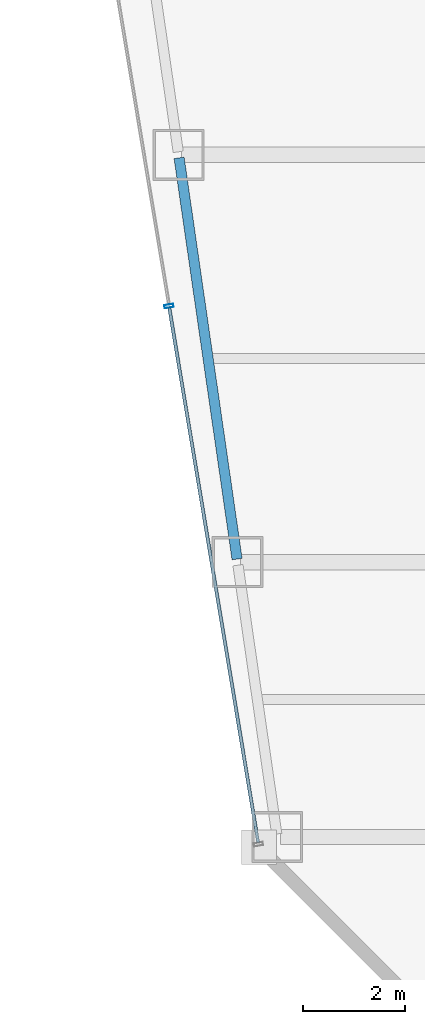
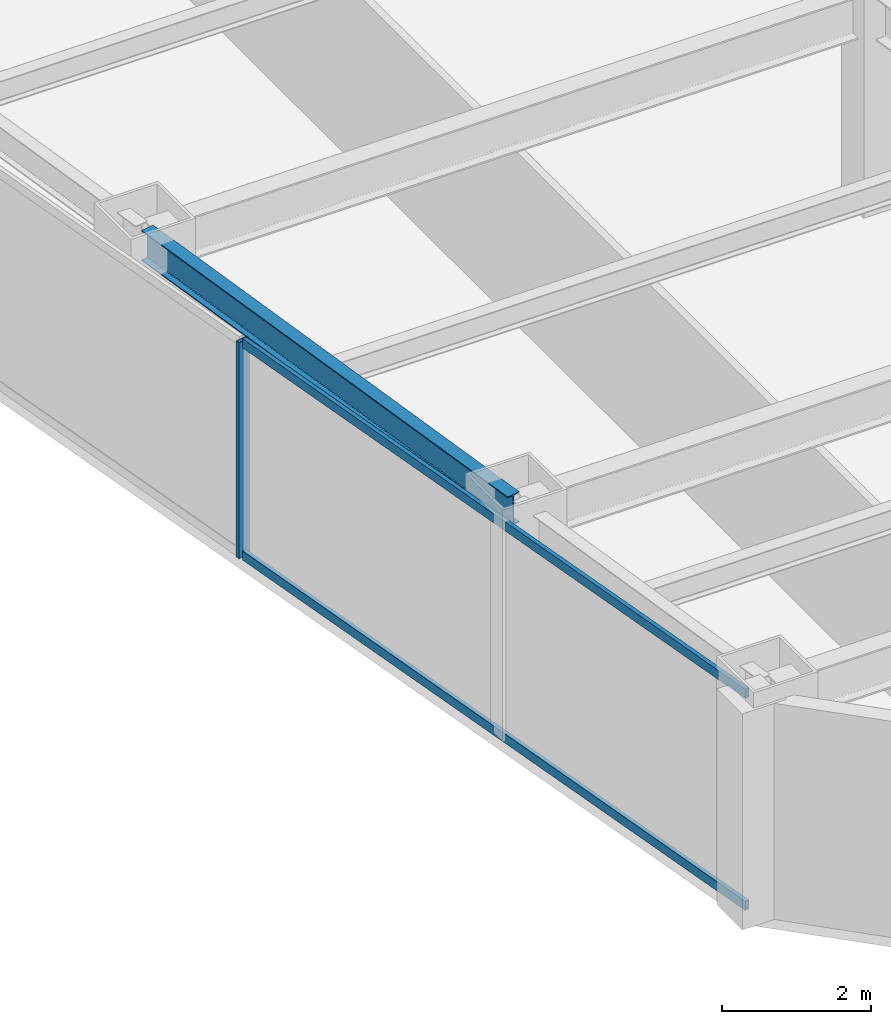
# One storey, part 3 of 37: 3 members, 1 beam, 1 element without a shape of its own.
"""IFC4 building model written with IfcOpenShell, lengths in metres."""

from ifc_helpers import new_model, si_unit, direction, frame, origin, origin_2d, place, context, subcontext, project, spatial, hollow_rectangle, i_section, extrude, material, material_profile, profile_set, type_object, element, aggregate, save


model = new_model("IFC4")

# Units and contexts
model_context = context("Model", 3, precision=1e-05, world=origin(), true_north=direction((0.0, 1.0)))
body_context = subcontext(model_context, "Body", "Model", "MODEL_VIEW")
ifc_project = project(units=[si_unit("LENGTHUNIT", "METRE"), si_unit("AREAUNIT", "SQUARE_METRE"), si_unit("VOLUMEUNIT", "CUBIC_METRE"), si_unit("PLANEANGLEUNIT", "RADIAN"), si_unit("MASSUNIT", "GRAM", prefix="KILO")], contexts=[model_context])

# Site, building, storey
site_placement = place(None, origin())
site = spatial("IfcSite", under=ifc_project, at=site_placement, CompositionType="ELEMENT")
building_placement = place(site_placement, origin())
building = spatial("IfcBuilding", under=site, at=building_placement, Name="Saevonmaru Cultural Tower", CompositionType="ELEMENT")
storey_placement = place(building_placement, frame((0.0, 0.0, 141.0)))
storey = spatial("IfcBuildingStorey", under=building, at=storey_placement, Name="L30", CompositionType="ELEMENT", Elevation=141.0)

# Beam
ifc_material_1 = material(Name="Steel SM355", Category="steel")
ifc_material_profile_1 = material_profile(ifc_material_1, i_section(OverallWidth=0.199951171875, OverallDepth=0.5, WebThickness=0.010009765625, FlangeThickness=0.01611328125, FilletRadius=0.02001953125, at=origin_2d()), Name="H-500x200x10x16")
ifc_profile_set_1 = profile_set([ifc_material_profile_1], Name="Steel SM355")
beam_type = type_object("IfcBeamType", Name="BM-SP-H500", PredefinedType="SPANDREL", material=ifc_profile_set_1)
beam_placement = place(storey_placement, frame((10.619384765625, 16.059326171875, 3.300048828125), z_axis=(-0.142992129437, 0.989723825579, 0.0), x_axis=(-0.989723825579, -0.142992129437, 0.0)))
element("IfcBeam", 1, at=beam_placement, inside=storey, type_object=beam_type, Name="L30 West Splayed Spandrel 2", PredefinedType="SPANDREL", context=body_context, shape_type="SweptSolid", body=[
    extrude(i_section(OverallWidth=0.199951171875, OverallDepth=0.5, WebThickness=0.010009765625, FlangeThickness=0.01611328125, FilletRadius=0.02001953125, at=origin_2d()), origin(), (0.0, 0.0, 1.0), 7.963134765625),
])

# Curtain wall, members
ifc_material_2 = material(Name="Satin Bronze Anodised Aluminium", Category="aluminium")
curtain_wall_type = type_object("IfcCurtainWallType", Name="CW-TYP-A", PredefinedType="NOTDEFINED", material=ifc_material_2)
curtain_wall_placement = place(storey_placement, origin())
curtain_wall = element("IfcCurtainWall", 2, at=curtain_wall_placement, inside=storey, type_object=curtain_wall_type, Name="L30 Unitised Curtain Wall E12", PredefinedType="NOTDEFINED")
ifc_material_profile_2 = material_profile(ifc_material_2, hollow_rectangle(XDim=0.06494140625, YDim=0.179931640625, WallThickness=0.00390625, at=origin_2d()), Name="ALU-MULL-180x65x4")
ifc_profile_set_2 = profile_set([ifc_material_profile_2], Name="Satin Bronze Anodised Aluminium")
member_type_1 = type_object("IfcMemberType", Name="ML-CW-180x65", PredefinedType="MULLION", material=ifc_profile_set_2)
member_1_placement = place(storey_placement, frame((9.28173828125, 21.029541015625, 0.0), z_axis=(0.0, 0.0, 1.0), x_axis=(0.163998702345, -0.986460554523, 0.0)))
member_1 = element("IfcMember", 3, at=member_1_placement, type_object=member_type_1, Name="CW-TW-L30-E12 mullion 4", PredefinedType="MULLION", context=body_context, shape_type="SweptSolid", body=[
    extrude(hollow_rectangle(XDim=0.06494140625, YDim=0.179931640625, WallThickness=0.00390625, at=origin_2d()), origin(), (0.0, 0.0, 1.0), 3.550048828125),
])
ifc_material_profile_3 = material_profile(ifc_material_2, hollow_rectangle(XDim=0.06494140625, YDim=0.14990234375, WallThickness=0.00390625, at=origin_2d()), Name="ALU-TRAN-150x65x4")
ifc_profile_set_3 = profile_set([ifc_material_profile_3], Name="Satin Bronze Anodised Aluminium")
member_type_2 = type_object("IfcMemberType", Name="TR-CW-150x65", PredefinedType="USERDEFINED", material=ifc_profile_set_3)
member_2_placement = place(storey_placement, frame((9.287109375, 20.99755859375, 0.032470703125), z_axis=(0.163990079074, -0.9864619881, 0.0), x_axis=(0.9864619881, 0.163990079074, 0.0)))
member_2 = element("IfcMember", 4, at=member_2_placement, type_object=member_type_2, Name="CW-TW-L30-E12 transom 4.1", ObjectType="TRANSOM", PredefinedType="USERDEFINED", context=body_context, shape_type="SweptSolid", body=[
    extrude(hollow_rectangle(XDim=0.06494140625, YDim=0.14990234375, WallThickness=0.00390625, at=origin_2d()), origin(), (0.0, 0.0, 1.0), 10.650634765625),
])
member_3_placement = place(storey_placement, frame((9.287109375, 20.99755859375, 3.517578125), z_axis=(0.163990079074, -0.9864619881, 0.0), x_axis=(0.9864619881, 0.163990079074, 0.0)))
member_3 = element("IfcMember", 5, at=member_3_placement, type_object=member_type_2, Name="CW-TW-L30-E12 transom 4.2", ObjectType="TRANSOM", PredefinedType="USERDEFINED", context=body_context, shape_type="SweptSolid", body=[
    extrude(hollow_rectangle(XDim=0.06494140625, YDim=0.14990234375, WallThickness=0.00390625, at=origin_2d()), origin(), (0.0, 0.0, 1.0), 10.650634765625),
])
aggregate(curtain_wall, [member_1, member_2, member_3])

save(model, "model.ifc")
